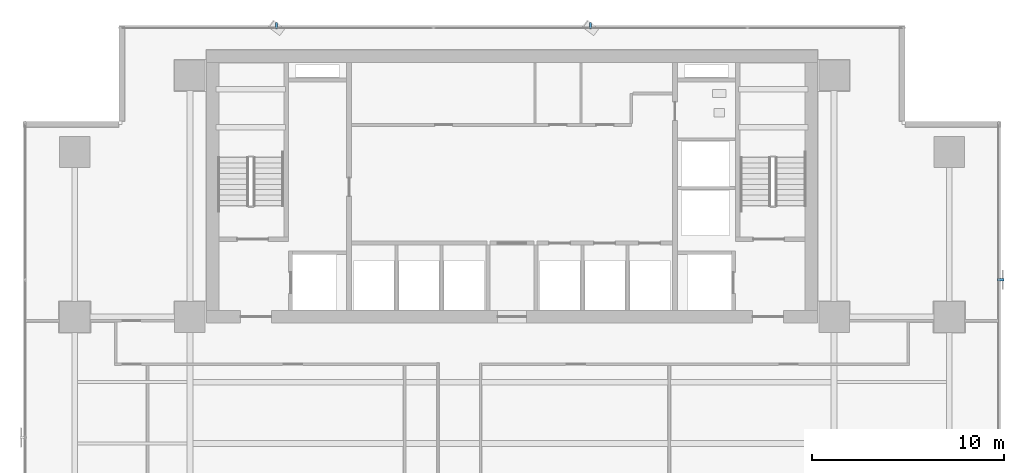
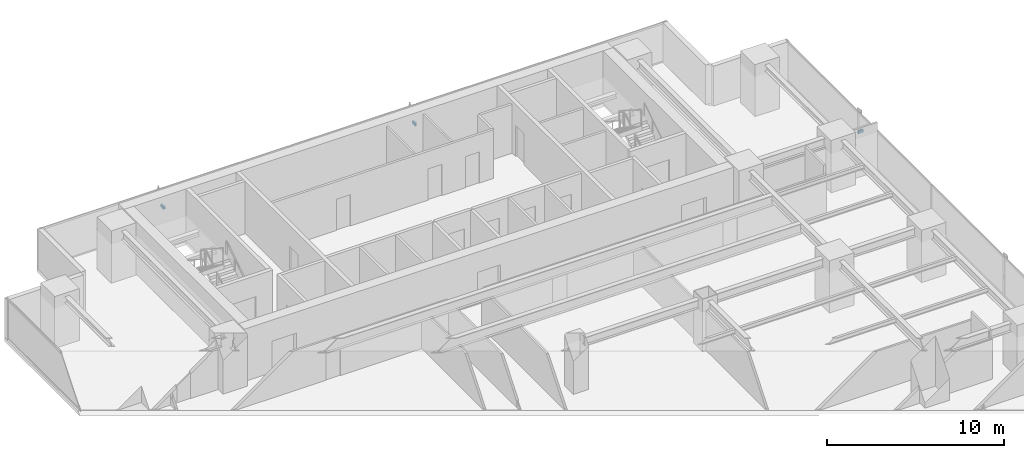
# One storey, part 32 of 37: 3 discrete accessories.
"""IFC4 building model written with IfcOpenShell, lengths in metres."""

from ifc_helpers import new_model, si_unit, direction, frame, origin, origin_2d, place, context, subcontext, project, spatial, rectangle, extrude, source, transform, mapped, material, material_profile, profile_set, type_object, element, save


model = new_model("IFC4")

# Units and contexts
model_context = context("Model", 3, precision=1e-05, world=origin(), true_north=direction((0.0, 1.0)))
body_context = subcontext(model_context, "Body", "Model", "MODEL_VIEW")
ifc_project = project(units=[si_unit("LENGTHUNIT", "METRE"), si_unit("AREAUNIT", "SQUARE_METRE"), si_unit("VOLUMEUNIT", "CUBIC_METRE"), si_unit("PLANEANGLEUNIT", "RADIAN"), si_unit("MASSUNIT", "GRAM", prefix="KILO")], contexts=[model_context])

# Site, building, storey
site_placement = place(None, origin())
site = spatial("IfcSite", under=ifc_project, at=site_placement, CompositionType="ELEMENT")
building_placement = place(site_placement, origin())
building = spatial("IfcBuilding", under=site, at=building_placement, Name="Sumidabori Civic Tower", CompositionType="ELEMENT")
storey_placement = place(building_placement, frame((0.0, 0.0, 81.199951171875)))
storey = spatial("IfcBuildingStorey", under=building, at=storey_placement, Name="L20", CompositionType="ELEMENT", Elevation=81.199951171875)

# Discrete accessories
ifc_material = material(Name="Stainless Steel Hairline Finish", Category="steel")
ifc_material_profile = material_profile(ifc_material, rectangle(XDim=0.1201171875, YDim=0.179931640625, at=origin_2d()), Name="STEEL BRACKET 180x120")
ifc_profile_set = profile_set([ifc_material_profile], Name="Stainless Steel Hairline Finish")
discrete_accessory_type = type_object("IfcDiscreteAccessoryType", Name="AC-BRK-180", PredefinedType="BRACKET", material=ifc_profile_set)
shared_shape_1 = source(origin(), body_context, "Body", "SweptSolid", [
    extrude(rectangle(XDim=0.1201171875, YDim=0.179931640625, at=origin_2d()), origin(), (0.0, 0.0, 1.0), 0.329833984375),
])
discrete_accessory_placement = place(storey_placement, frame((25.330078125, 12.14208984375, 1.360107421875), z_axis=(1.0, 0.0, 0.0), x_axis=(0.0, 1.0, 0.0)))
element("IfcDiscreteAccessory", 1, at=discrete_accessory_placement, inside=storey, type_object=discrete_accessory_type, Name="Bronze Fin Fixing Bracket L20-04", PredefinedType="BRACKET", context=body_context, shape_type="MappedRepresentation", body=[
    mapped(shared_shape_1, transform((0.0, 0.0, 0.0), x_axis=(1.0, 0.0, 0.0), y_axis=(0.0, 1.0, 0.0), z_axis=(0.0, 0.0, 1.0), scale=1.0)),
])
shared_shape_2 = source(origin(), body_context, "Body", "SweptSolid", [
    extrude(rectangle(XDim=0.1201171875, YDim=0.179931640625, at=origin_2d()), origin(), (0.0, 0.0, 1.0), 0.330078125),
])
for number, where, z_axis, x_axis, name in (
    (2, (4.093994140625, 25.22998046875, 1.360107421875), (0.0, 1.0, 0.0), (-1.0, 0.0, 0.0), "Bronze Fin Fixing Bracket L20-02"),
    (3, (-12.281982421875, 25.22998046875, 1.360107421875), (0.0, 1.0, 0.0), (-1.0, 0.0, 0.0), "Bronze Fin Fixing Bracket L20-04"),
):
    element("IfcDiscreteAccessory", number, at=place(storey_placement, frame(where, z_axis=z_axis, x_axis=x_axis)), inside=storey, type_object=discrete_accessory_type, Name=name, PredefinedType="BRACKET", context=body_context, shape_type="MappedRepresentation", body=[
        mapped(shared_shape_2, transform((0.0, 0.0, 0.0), x_axis=(1.0, 0.0, 0.0), y_axis=(0.0, 1.0, 0.0), z_axis=(0.0, 0.0, 1.0), scale=1.0)),
    ])

save(model, "model.ifc")
